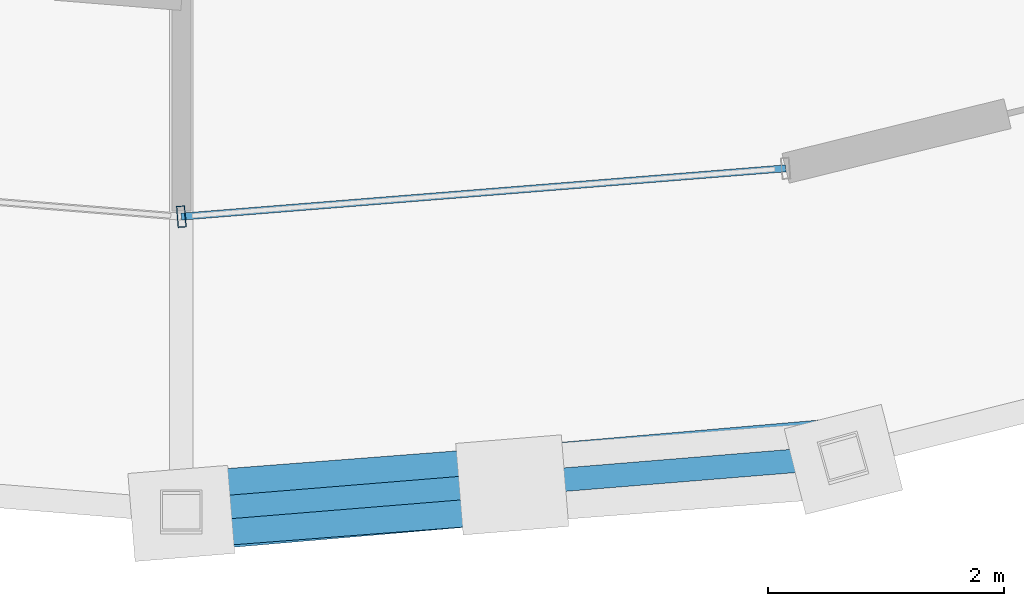
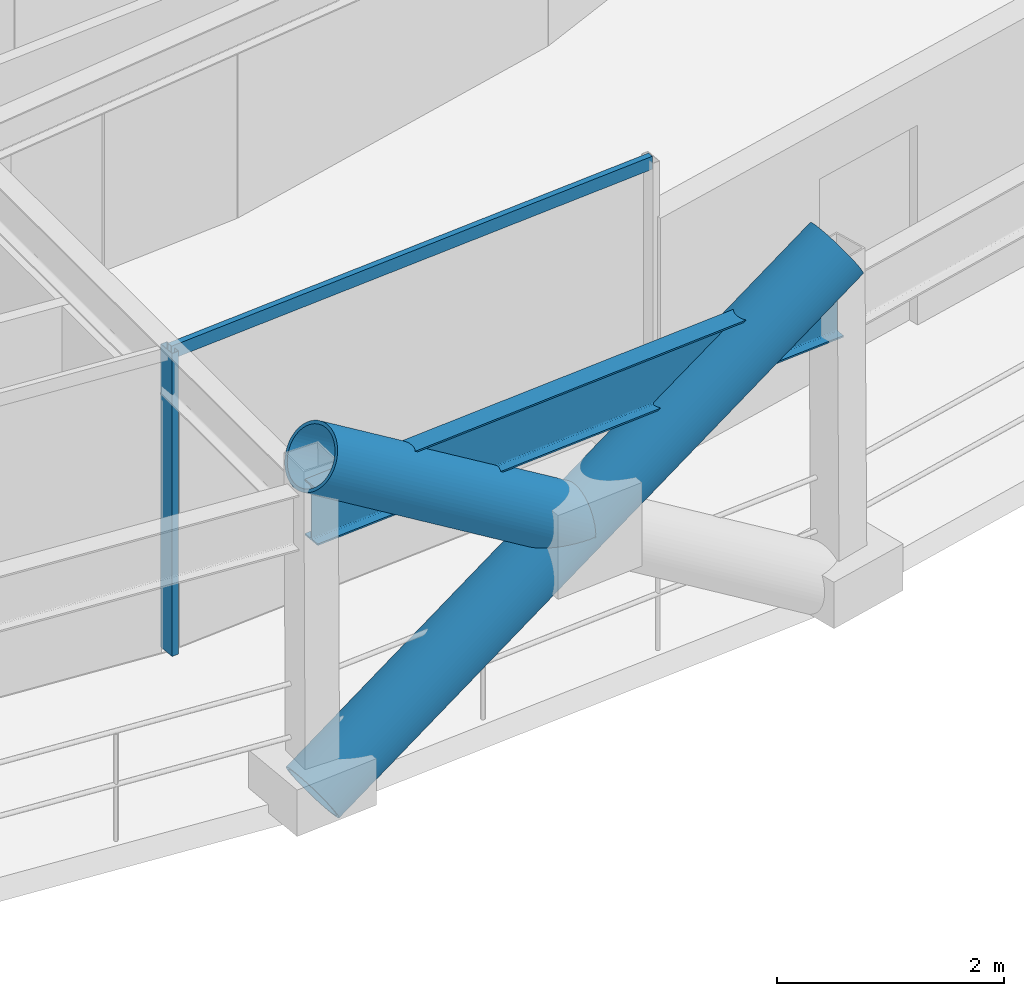
# One storey, part 4 of 23: 4 members, 1 beam, 1 element without a shape of its own.
"""IFC4 building model written with IfcOpenShell, lengths in metres."""

import ifcopenshell
import ifcopenshell.guid

model = None  # the IFC model being written
_history = None  # IfcOwnerHistory: only IFC2X3 demands one
_inside = {}  # id of a spatial element -> (the spatial element, [elements in it])
_under = {}  # id of a project, library or spatial element -> (it, [spatial elements below it])
_declared = {}  # id of a project -> (the project, [libraries it declares])
_typed = {}  # id of a type object -> (the type object, [elements of that type])
_made_of = {}  # id of a material, layer set ... -> (it, [elements and type objects made of it])


def new_model(schema):
    """Start an empty IFC model of exactly this schema.

    Asked for "IFC4X3", IfcOpenShell would pick the latest addendum, in which some entities
    have other attributes; the version numbers below select the first issue.
    IFC2X3 requires an IfcOwnerHistory on every rooted entity: one is made here for all.
    """
    global model, _history
    if schema == "IFC4X3":
        model = ifcopenshell.file(schema_version=(4, 3, 0, 0))
    else:
        model = ifcopenshell.file(schema=schema)
    _inside.clear()
    _under.clear()
    _declared.clear()
    _typed.clear()
    _made_of.clear()
    _history = None
    if model.schema == "IFC2X3":
        org = make("IfcOrganization", Name="unknown")
        user = make(
            "IfcPersonAndOrganization",
            ThePerson=make("IfcPerson", FamilyName="unknown"),
            TheOrganization=org,
        )
        app = make(
            "IfcApplication",
            ApplicationDeveloper=org,
            Version="unknown",
            ApplicationFullName="unknown",
            ApplicationIdentifier="unknown",
        )
        _history = make(
            "IfcOwnerHistory",
            OwningUser=user,
            OwningApplication=app,
            ChangeAction="ADDED",
            CreationDate=0,
        )
    return model


def make(cls, **values):
    """One entity of the class cls with the attributes given. An attribute that is None is left unset."""
    return model.create_entity(
        cls, **{name: value for name, value in values.items() if value is not None}
    )


def rooted(cls, **values):
    """An entity with a GlobalId (a new one), such as an element, a storey or a relation."""
    return make(cls, GlobalId=ifcopenshell.guid.new(), OwnerHistory=_history, **values)


def si_unit(unit_type, name, prefix=None):
    """IfcSIUnit, for example si_unit("LENGTHUNIT", "METRE", prefix="MILLI")."""
    return make("IfcSIUnit", UnitType=unit_type, Prefix=prefix, Name=name)


def assignment(units):
    """IfcUnitAssignment: the units of a project."""
    return None if units is None else make("IfcUnitAssignment", Units=units)


def point(xyz):
    """IfcCartesianPoint."""
    return None if xyz is None else make("IfcCartesianPoint", Coordinates=xyz)


def direction(xyz):
    """IfcDirection."""
    return None if xyz is None else make("IfcDirection", DirectionRatios=xyz)


def frame(location, z_axis=None, x_axis=None):
    """IfcAxis2Placement3D, a coordinate frame: its origin and axes. An axis left out is left unset."""
    return make(
        "IfcAxis2Placement3D",
        Location=point(location),
        Axis=direction(z_axis),
        RefDirection=direction(x_axis),
    )


def frame_2d(location, x_axis=None):
    """IfcAxis2Placement2D, a coordinate frame in the plane: its origin and x axis."""
    return make(
        "IfcAxis2Placement2D", Location=point(location), RefDirection=direction(x_axis)
    )


def origin():
    """The frame at (0, 0, 0) with its axes left unset."""
    return frame((0.0, 0.0, 0.0))


def origin_2d():
    """The frame at (0, 0) in the plane with its x axis left unset."""
    return frame_2d((0.0, 0.0))


def place(relative_to, where):
    """IfcLocalPlacement: puts the frame where relative to a parent placement (None: the world)."""
    return make(
        "IfcLocalPlacement", PlacementRelTo=relative_to, RelativePlacement=where
    )


def context(
    kind, dimensions, precision=None, world=None, true_north=None, identifier=None
):
    """IfcGeometricRepresentationContext, for example the 3D "Model" context."""
    return make(
        "IfcGeometricRepresentationContext",
        ContextIdentifier=identifier,
        ContextType=kind,
        CoordinateSpaceDimension=dimensions,
        Precision=precision,
        WorldCoordinateSystem=world,
        TrueNorth=true_north,
    )


def subcontext(parent, identifier, kind, view, scale=None):
    """IfcGeometricRepresentationSubContext, for example "Body" below "Model"."""
    return make(
        "IfcGeometricRepresentationSubContext",
        ContextIdentifier=identifier,
        ContextType=kind,
        ParentContext=parent,
        TargetScale=scale,
        TargetView=view,
    )


def project(units=None, contexts=None):
    """IfcProject with its units and contexts."""
    return rooted(
        "IfcProject",
        Name="project",
        RepresentationContexts=contexts,
        UnitsInContext=assignment(units),
    )


def spatial(cls, under=None, at=None, **own):
    """A site, building, storey or space (cls), placed at a placement, below another one or the project."""
    s = rooted(cls, ObjectPlacement=at, **own)
    if under is not None:
        _under.setdefault(under.id(), (under, []))[1].append(s)
    return s


def profile(cls, at=None, kind="AREA", **sizes):
    """A parametric profile (cls). Its sizes go by their IFC names, for example OverallWidth=200.0."""
    return make(cls, ProfileType=kind, Position=at, **sizes)


def hollow_rectangle(**sizes):
    """IfcRectangleHollowProfileDef."""
    return profile("IfcRectangleHollowProfileDef", **sizes)


def hollow_circle(**sizes):
    """IfcCircleHollowProfileDef."""
    return profile("IfcCircleHollowProfileDef", **sizes)


def i_section(**sizes):
    """IfcIShapeProfileDef."""
    return profile("IfcIShapeProfileDef", **sizes)


def extrude(swept, where, along, depth):
    """IfcExtrudedAreaSolid: the profile swept, set in the frame where, extruded along a direction by depth."""
    return make(
        "IfcExtrudedAreaSolid",
        SweptArea=swept,
        Position=where,
        ExtrudedDirection=direction(along),
        Depth=depth,
    )


def shape(context_of_items, identifier, shape_type, items):
    """IfcShapeRepresentation: the items that make up one representation, for example the "Body"."""
    return make(
        "IfcShapeRepresentation",
        ContextOfItems=context_of_items,
        RepresentationIdentifier=identifier,
        RepresentationType=shape_type,
        Items=items,
    )


def material(Name=None, Category=None):
    """IfcMaterial."""
    return make("IfcMaterial", Name=Name, Category=Category)


def layer(
    of_material, thickness, ventilated=None, Name=None, Category=None, Priority=None
):
    """IfcMaterialLayer: one layer of a wall or slab, of a material (None: an air gap)."""
    return make(
        "IfcMaterialLayer",
        Material=of_material,
        LayerThickness=thickness,
        IsVentilated=ventilated,
        Name=Name,
        Category=Category,
        Priority=Priority,
    )


def layer_set(layers, Name=None):
    """IfcMaterialLayerSet."""
    return make("IfcMaterialLayerSet", MaterialLayers=layers, LayerSetName=Name)


def material_profile(
    of_material, cross_section, Name=None, Category=None, Priority=None
):
    """IfcMaterialProfile: a cross section and its material."""
    return make(
        "IfcMaterialProfile",
        Name=Name,
        Material=of_material,
        Profile=cross_section,
        Priority=Priority,
        Category=Category,
    )


def profile_set(profiles, Name=None, composite=None):
    """IfcMaterialProfileSet."""
    return make(
        "IfcMaterialProfileSet",
        Name=Name,
        MaterialProfiles=profiles,
        CompositeProfile=composite,
    )


def made_of(thing, what):
    """Note that an element or type object is made of a material, layer set ...; save() writes the relation."""
    if what is not None:
        _made_of.setdefault(what.id(), (what, []))[1].append(thing)
    return thing


def type_object(cls, material=None, **own):
    """A type object (cls), such as IfcWallType, which elements share."""
    return made_of(rooted(cls, **own), material)


def element(
    cls,
    number,
    at=None,
    inside=None,
    cuts=None,
    type_object=None,
    material=None,
    context=None,
    identifier="Body",
    shape_type=None,
    held_by="IfcProductDefinitionShape",
    body=None,
    shapes=None,
    **own,
):
    """One element of the class cls, such as IfcWall. Its Tag is "e" and its number.

    at: its placement. inside: the storey or other place that contains it. cuts: it is an
    opening in that element (IfcRelVoidsElement). A single representation is given by context,
    identifier, shape_type and body (its items); several are given by shapes. held_by: the class
    of the entity that holds the representations. save() writes the other relations.
    """
    e = rooted(cls, Tag="e%d" % number, ObjectPlacement=at, **own)
    if body is not None:
        shapes = [shape(context, identifier, shape_type, body)]
    if shapes is not None:
        e.Representation = make(held_by, Representations=shapes)
    if inside is not None:
        _inside.setdefault(inside.id(), (inside, []))[1].append(e)
    if cuts is not None:
        rooted(
            "IfcRelVoidsElement", RelatingBuildingElement=cuts, RelatedOpeningElement=e
        )
    if type_object is not None:
        _typed.setdefault(type_object.id(), (type_object, []))[1].append(e)
    return made_of(e, material)


def aggregate(whole, parts):
    """IfcRelAggregates: a whole, such as a stair, and the parts it consists of."""
    return rooted("IfcRelAggregates", RelatingObject=whole, RelatedObjects=parts)


def save(model, path):
    """Write the relations noted so far, then the file.

    IfcRelAggregates (storeys below a building ...), IfcRelContainedInSpatialStructure (elements
    in a storey), IfcRelDefinesByType, IfcRelAssociatesMaterial and IfcRelDeclares: one each for
    every whole, place, type object, material and project.
    """
    for whole, parts in _under.values():
        aggregate(whole, parts)
    for where, things in _inside.values():
        rooted(
            "IfcRelContainedInSpatialStructure",
            RelatedElements=things,
            RelatingStructure=where,
        )
    for kind, things in _typed.values():
        rooted("IfcRelDefinesByType", RelatedObjects=things, RelatingType=kind)
    for what, things in _made_of.values():
        rooted("IfcRelAssociatesMaterial", RelatedObjects=things, RelatingMaterial=what)
    for by, libraries in _declared.values():
        rooted("IfcRelDeclares", RelatingContext=by, RelatedDefinitions=libraries)
    model.write(path)


model = new_model("IFC4")

# Units and contexts
model_context = context("Model", 3, precision=1e-05, world=origin(), true_north=direction((0.0, 1.0)))
body_context = subcontext(model_context, "Body", "Model", "MODEL_VIEW")
ifc_project = project(units=[si_unit("LENGTHUNIT", "METRE"), si_unit("AREAUNIT", "SQUARE_METRE"), si_unit("VOLUMEUNIT", "CUBIC_METRE"), si_unit("PLANEANGLEUNIT", "RADIAN"), si_unit("MASSUNIT", "GRAM", prefix="KILO")], contexts=[model_context])

# Site, building, storey
site_placement = place(None, origin())
site = spatial("IfcSite", under=ifc_project, at=site_placement, CompositionType="ELEMENT")
building_placement = place(site_placement, origin())
building = spatial("IfcBuilding", under=site, at=building_placement, Name="Veldorina Hangang Commons", CompositionType="ELEMENT")
storey_placement = place(building_placement, frame((0.0, 0.0, 102.39990234375)))
storey = spatial("IfcBuildingStorey", under=building, at=storey_placement, Name="L26", CompositionType="ELEMENT", Elevation=102.39990234375)

# Beam
ifc_material_1 = material(Name="Steel SM420-TMC", Category="steel")
ifc_material_profile_1 = material_profile(ifc_material_1, i_section(OverallWidth=0.199951171875, OverallDepth=0.60009765625, WebThickness=0.010986328125, FlangeThickness=0.01708984375, FilletRadius=0.01806640625, at=origin_2d()), Name="H-600x200x11x17")
ifc_profile_set_1 = profile_set([ifc_material_profile_1], Name="Steel SM420-TMC")
beam_type = type_object("IfcBeamType", Name="BM-RB600", PredefinedType="BEAM", material=ifc_profile_set_1)
beam_placement = place(storey_placement, frame((32.0, 0.147705078125, 3.0), z_axis=(0.996687984877, 0.081320727999, 0.0), x_axis=(-0.081320727999, 0.996687984877, 0.0)))
element("IfcBeam", 1, at=beam_placement, inside=storey, type_object=beam_type, Name="L26 perimeter hoop ring beam 24", PredefinedType="BEAM", context=body_context, shape_type="SweptSolid", body=[
    extrude(i_section(OverallWidth=0.199951171875, OverallDepth=0.60009765625, WebThickness=0.010986328125, FlangeThickness=0.01708984375, FilletRadius=0.01806640625, at=origin_2d()), origin(), (0.0, 0.0, 1.0), 5.635009765625),
])

# Curtain wall, members
ifc_material_2 = material(Name="Glass Low-E Triple IGU", Category="glass")
ifc_layer = layer(ifc_material_2, 0.179931640625)
ifc_layer_set = layer_set([ifc_layer], Name="Glass Low-E Triple IGU")
curtain_wall_type = type_object("IfcCurtainWallType", Name="CW-SYS-Z1", PredefinedType="NOTDEFINED", material=ifc_layer_set)
curtain_wall_placement = place(storey_placement, origin())
curtain_wall = element("IfcCurtainWall", 2, at=curtain_wall_placement, inside=storey, type_object=curtain_wall_type, Name="L26 unitised curtain wall CW-L26-R1", PredefinedType="NOTDEFINED")
ifc_material_3 = material(Name="Aluminium Anodized AA6063-T6", Category="aluminium")
ifc_material_profile_2 = material_profile(ifc_material_3, hollow_rectangle(XDim=0.070068359375, YDim=0.179931640625, WallThickness=0.00390625, at=origin_2d()), Name="ALU-RHS-180x70x4")
ifc_profile_set_2 = profile_set([ifc_material_profile_2], Name="Aluminium Anodized AA6063-T6")
member_type_1 = type_object("IfcMemberType", Name="CW-MUL-180", PredefinedType="MULLION", material=ifc_profile_set_2)
member_1_placement = place(storey_placement, frame((32.0, 2.646240234375, 0.0), z_axis=(0.0, 0.0, 1.0), x_axis=(0.996817952017, 0.079711796718, 0.0)))
member_1 = element("IfcMember", 3, at=member_1_placement, type_object=member_type_1, Name="CW-L26-R1 vertical mullion 4", PredefinedType="MULLION", context=body_context, shape_type="SweptSolid", body=[
    extrude(hollow_rectangle(XDim=0.070068359375, YDim=0.179931640625, WallThickness=0.00390625, at=origin_2d()), origin(), (0.0, 0.0, 1.0), 3.260009765625),
])
ifc_material_profile_3 = material_profile(ifc_material_3, hollow_rectangle(XDim=0.06005859375, YDim=0.139892578125, WallThickness=0.00341796875, at=origin_2d()), Name="ALU-RHS-140x60x3.5")
ifc_profile_set_3 = profile_set([ifc_material_profile_3], Name="Aluminium Anodized AA6063-T6")
member_type_2 = type_object("IfcMemberType", Name="CW-TRN-140", PredefinedType="USERDEFINED", material=ifc_profile_set_3)
member_2_placement = place(storey_placement, frame((32.0, 2.646240234375, 3.22021484375), z_axis=(0.996816334154, 0.079732025967, 0.0), x_axis=(-0.079732025967, 0.996816334154, 0.0)))
member_2 = element("IfcMember", 4, at=member_2_placement, type_object=member_type_2, Name="CW-L26-R1 facet 4 transom 1", ObjectType="TRANSOM", PredefinedType="USERDEFINED", context=body_context, shape_type="SweptSolid", body=[
    extrude(hollow_rectangle(XDim=0.06005859375, YDim=0.139892578125, WallThickness=0.00341796875, at=origin_2d()), origin(), (0.0, 0.0, 1.0), 5.147216796875),
])
aggregate(curtain_wall, [member_1, member_2])

# Members
ifc_material_4 = material(Name="Steel SM460-TMC", Category="steel")
ifc_material_profile_4 = material_profile(ifc_material_4, hollow_circle(Radius=0.324951171875, WallThickness=0.031982421875, at=origin_2d()), Name="CHS-650x32")
ifc_profile_set_4 = profile_set([ifc_material_profile_4], Name="Steel SM460-TMC")
member_type_3 = type_object("IfcMemberType", Name="DG-CHS650", PredefinedType="BRACE", material=ifc_profile_set_4)
member_3_placement = place(storey_placement, frame((32.0, 0.126220703125, 0.0), z_axis=(0.839632581697, 0.072354425084, 0.538314002161), x_axis=(-0.085855722802, 0.99630758045, 0.0)))
element("IfcMember", 5, at=member_3_placement, inside=storey, type_object=member_type_3, Name="L26 continuous perimeter diagrid brace 24", PredefinedType="BRACE", context=body_context, shape_type="SweptSolid", body=[
    extrude(hollow_circle(Radius=0.324951171875, WallThickness=0.031982421875, at=origin_2d()), origin(), (0.0, 0.0, 1.0), 6.687744140625),
])
member_4_placement = place(storey_placement, frame((34.809326171875, 0.368408203125, 1.80126953125), z_axis=(-0.840385536305, -0.064779870575, 0.538103817806), x_axis=(0.076855519875, -0.997042240361, 0.0)))
element("IfcMember", 6, at=member_4_placement, inside=storey, type_object=member_type_3, Name="L26 split perimeter diagrid upper brace 25", PredefinedType="BRACE", context=body_context, shape_type="SweptSolid", body=[
    extrude(hollow_circle(Radius=0.324951171875, WallThickness=0.031982421875, at=origin_2d()), origin(), (0.0, 0.0, 1.0), 3.343017578125),
])

save(model, "model.ifc")
